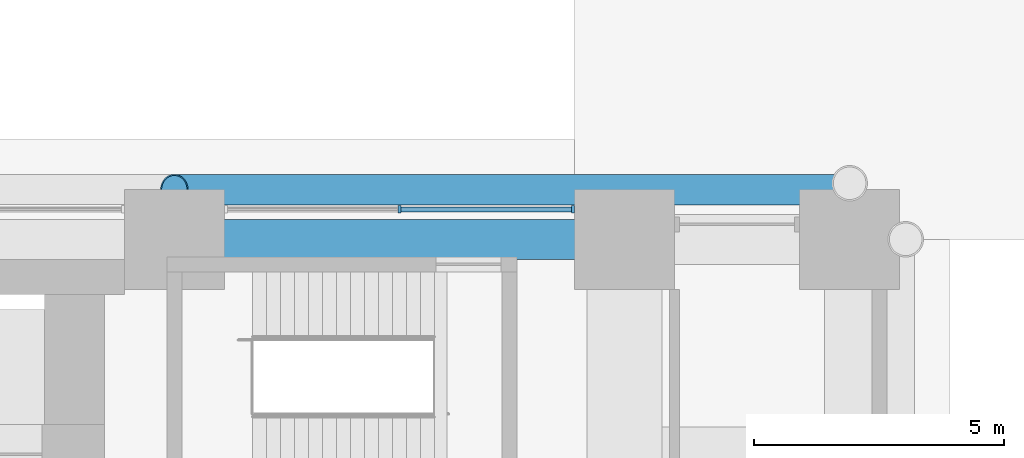
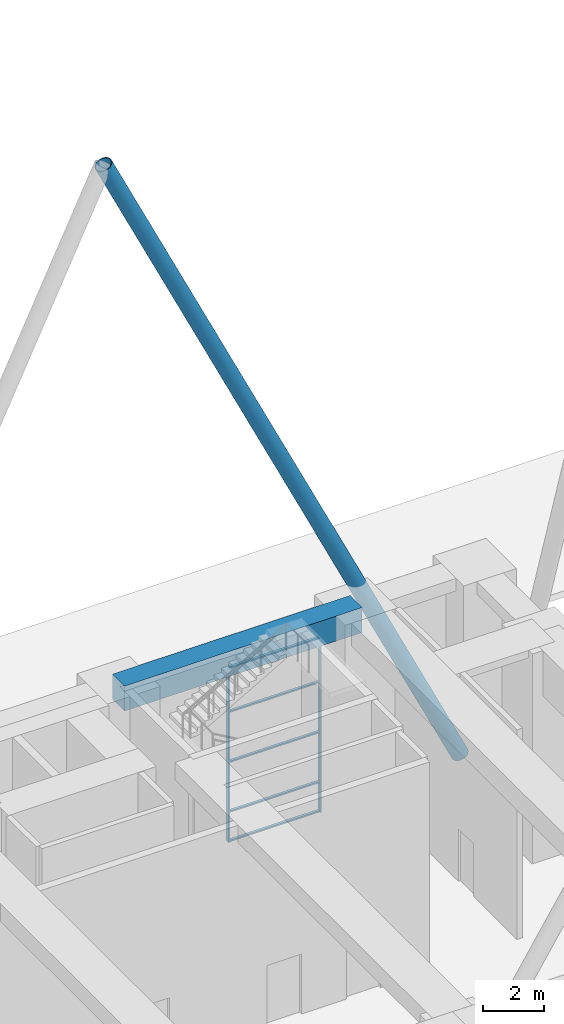
# One storey, part 21 of 44: 8 members, 1 beam, 1 element without a shape of its own.
"""IFC4 building model written with IfcOpenShell, lengths in metres."""

from ifc_helpers import new_model, si_unit, direction, frame, origin, origin_2d, place, context, subcontext, project, spatial, rectangle, hollow_circle, extrude, material, material_profile, profile_set, type_object, element, aggregate, save


model = new_model("IFC4")

# Units and contexts
model_context = context("Model", 3, precision=1e-05, world=origin(), true_north=direction((0.0, 1.0)))
body_context = subcontext(model_context, "Body", "Model", "MODEL_VIEW")
ifc_project = project(units=[si_unit("LENGTHUNIT", "METRE"), si_unit("AREAUNIT", "SQUARE_METRE"), si_unit("VOLUMEUNIT", "CUBIC_METRE"), si_unit("PLANEANGLEUNIT", "RADIAN"), si_unit("MASSUNIT", "GRAM", prefix="KILO")], contexts=[model_context])

# Site, building, storey
site_placement = place(None, origin())
site = spatial("IfcSite", under=ifc_project, at=site_placement, CompositionType="ELEMENT")
building_placement = place(site_placement, origin())
building = spatial("IfcBuilding", under=site, at=building_placement, Name="Firuza Court", CompositionType="ELEMENT")
storey_placement = place(building_placement, origin())
storey = spatial("IfcBuildingStorey", under=building, at=storey_placement, Name="L00", CompositionType="ELEMENT", Elevation=0.0)

# Member
ifc_material_1 = material(Name="Steel S355", Category="steel")
ifc_material_profile_1 = material_profile(ifc_material_1, hollow_circle(Radius=0.304931640625, WallThickness=0.02490234375, at=origin_2d()), Name="CHS 610x25")
ifc_profile_set_1 = profile_set([ifc_material_profile_1], Name="Steel S355")
member_type_1 = type_object("IfcMemberType", Name="Diagrid diagonal CHS 610x25 S355", PredefinedType="USERDEFINED", material=ifc_profile_set_1)
member_1_placement = place(storey_placement, frame((67.5, 59.4951171875, 0.130859375), z_axis=(-0.430315969648, 0.0, 0.902678329343), x_axis=(0.0, -1.0, 0.0)))
element("IfcMember", 1, at=member_1_placement, inside=storey, type_object=member_type_1, Name="Diagrid diagonal L00 to L05", ObjectType="DIAGRID", PredefinedType="USERDEFINED", context=body_context, shape_type="SweptSolid", body=[
    extrude(hollow_circle(Radius=0.304931640625, WallThickness=0.02490234375, at=origin_2d()), origin(), (0.0, 0.0, 1.0), 31.372314453125),
])

# Curtain wall, members
ifc_material_2 = material(Name="Aluminium curtain wall, triple clear glazing", Category="aluminium")
curtain_wall_type = type_object("IfcCurtainWallType", Name="Ground lobby stick shopfront CW2", PredefinedType="NOTDEFINED", material=ifc_material_2)
curtain_wall_placement = place(storey_placement, origin())
curtain_wall = element("IfcCurtainWall", 2, at=curtain_wall_placement, inside=storey, type_object=curtain_wall_type, Name="Ground lobby stick shopfront CW2 L00", PredefinedType="NOTDEFINED")
ifc_material_3 = material(Name="Aluminium EN AW-6060 T66", Category="aluminium")
ifc_material_profile_2 = material_profile(ifc_material_3, rectangle(XDim=0.14990234375, YDim=0.06005859375, at=origin_2d()), Name="Mullion 150 x 60 CW2")
ifc_profile_set_2 = profile_set([ifc_material_profile_2], Name="Aluminium EN AW-6060 T66")
member_type_2 = type_object("IfcMemberType", Name="Mullion 150 x 60 CW2", PredefinedType="MULLION", material=ifc_profile_set_2)
member_2_placement = place(storey_placement, frame((61.969970703125, 59.10009765625, 0.0), z_axis=(0.0, 0.0, 1.0), x_axis=(0.0, -1.0, 0.0)))
member_2 = element("IfcMember", 3, at=member_2_placement, type_object=member_type_2, Name="CW2 mullion 1", PredefinedType="MULLION", context=body_context, shape_type="SweptSolid", body=[
    extrude(rectangle(XDim=0.14990234375, YDim=0.06005859375, at=origin_2d()), origin(), (0.0, 0.0, 1.0), 7.0),
])
member_3_placement = place(storey_placement, frame((58.5, 59.10009765625, 0.0), z_axis=(0.0, 0.0, 1.0), x_axis=(0.0, -1.0, 0.0)))
member_3 = element("IfcMember", 4, at=member_3_placement, type_object=member_type_2, Name="CW2 mullion 2", PredefinedType="MULLION", context=body_context, shape_type="SweptSolid", body=[
    extrude(rectangle(XDim=0.14990234375, YDim=0.06005859375, at=origin_2d()), origin(), (0.0, 0.0, 1.0), 7.0),
])

# Beam
ifc_material_4 = material(Name="Concrete C60/75", Category="concrete")
ifc_material_profile_3 = material_profile(ifc_material_4, rectangle(XDim=0.800048828125, YDim=1.0, at=origin_2d()), Name="RC 800x1000")
ifc_profile_set_3 = profile_set([ifc_material_profile_3], Name="Concrete C60/75")
beam_type = type_object("IfcBeamType", Name="Transfer girder RC 800x1000 C60/75", PredefinedType="USERDEFINED", material=ifc_profile_set_3)
beam_placement = place(storey_placement, frame((63.0, 58.5, 7.89990234375), z_axis=(-1.0, 0.0, 0.0), x_axis=(0.0, -1.0, 0.0)))
element("IfcBeam", 5, at=beam_placement, inside=storey, type_object=beam_type, Name="Transfer girder TG2 level L01", ObjectType="TRANSFER GIRDER", PredefinedType="USERDEFINED", context=body_context, shape_type="SweptSolid", body=[
    extrude(rectangle(XDim=0.800048828125, YDim=1.0, at=origin_2d()), origin(), (0.0, 0.0, 1.0), 9.0),
])

# Member
ifc_material_5 = material(Name="Aluminium EN AW-6060 T66", Category="aluminium")
ifc_material_profile_4 = material_profile(ifc_material_5, rectangle(XDim=0.10009765625, YDim=0.06005859375, at=origin_2d()), Name="Transom 100 x 60 CW2")
ifc_profile_set_4 = profile_set([ifc_material_profile_4], Name="Aluminium EN AW-6060 T66")
member_type_3 = type_object("IfcMemberType", Name="Transom 100 x 60 CW2", PredefinedType="USERDEFINED", material=ifc_profile_set_4)
member_4_placement = place(storey_placement, frame((61.93994140625, 59.10009765625, 0.030029296875), z_axis=(-1.0, 0.0, 0.0), x_axis=(0.0, -1.0, 0.0)))
member_4 = element("IfcMember", 6, at=member_4_placement, type_object=member_type_3, Name="CW2 transom 1.1", ObjectType="TRANSOM", PredefinedType="USERDEFINED", context=body_context, shape_type="SweptSolid", body=[
    extrude(rectangle(XDim=0.10009765625, YDim=0.06005859375, at=origin_2d()), origin(), (0.0, 0.0, 1.0), 3.409912109375),
])

member_5_placement = place(storey_placement, frame((61.93994140625, 59.10009765625, 1.199951171875), z_axis=(-1.0, 0.0, 0.0), x_axis=(0.0, -1.0, 0.0)))
member_5 = element("IfcMember", 7, at=member_5_placement, type_object=member_type_3, Name="CW2 transom 1.2", ObjectType="TRANSOM", PredefinedType="USERDEFINED", context=body_context, shape_type="SweptSolid", body=[
    extrude(rectangle(XDim=0.10009765625, YDim=0.06005859375, at=origin_2d()), origin(), (0.0, 0.0, 1.0), 3.409912109375),
])

member_6_placement = place(storey_placement, frame((61.93994140625, 59.10009765625, 3.199951171875), z_axis=(-1.0, 0.0, 0.0), x_axis=(0.0, -1.0, 0.0)))
member_6 = element("IfcMember", 8, at=member_6_placement, type_object=member_type_3, Name="CW2 transom 1.3", ObjectType="TRANSOM", PredefinedType="USERDEFINED", context=body_context, shape_type="SweptSolid", body=[
    extrude(rectangle(XDim=0.10009765625, YDim=0.06005859375, at=origin_2d()), origin(), (0.0, 0.0, 1.0), 3.409912109375),
])

member_7_placement = place(storey_placement, frame((61.93994140625, 59.10009765625, 5.199951171875), z_axis=(-1.0, 0.0, 0.0), x_axis=(0.0, -1.0, 0.0)))
member_7 = element("IfcMember", 9, at=member_7_placement, type_object=member_type_3, Name="CW2 transom 1.4", ObjectType="TRANSOM", PredefinedType="USERDEFINED", context=body_context, shape_type="SweptSolid", body=[
    extrude(rectangle(XDim=0.10009765625, YDim=0.06005859375, at=origin_2d()), origin(), (0.0, 0.0, 1.0), 3.409912109375),
])

member_8_placement = place(storey_placement, frame((61.93994140625, 59.10009765625, 6.969970703125), z_axis=(-1.0, 0.0, 0.0), x_axis=(0.0, -1.0, 0.0)))
member_8 = element("IfcMember", 10, at=member_8_placement, type_object=member_type_3, Name="CW2 transom 1.5", ObjectType="TRANSOM", PredefinedType="USERDEFINED", context=body_context, shape_type="SweptSolid", body=[
    extrude(rectangle(XDim=0.10009765625, YDim=0.06005859375, at=origin_2d()), origin(), (0.0, 0.0, 1.0), 3.409912109375),
])

aggregate(curtain_wall, [member_2, member_3, member_4, member_5, member_6, member_7, member_8])

save(model, "model.ifc")
